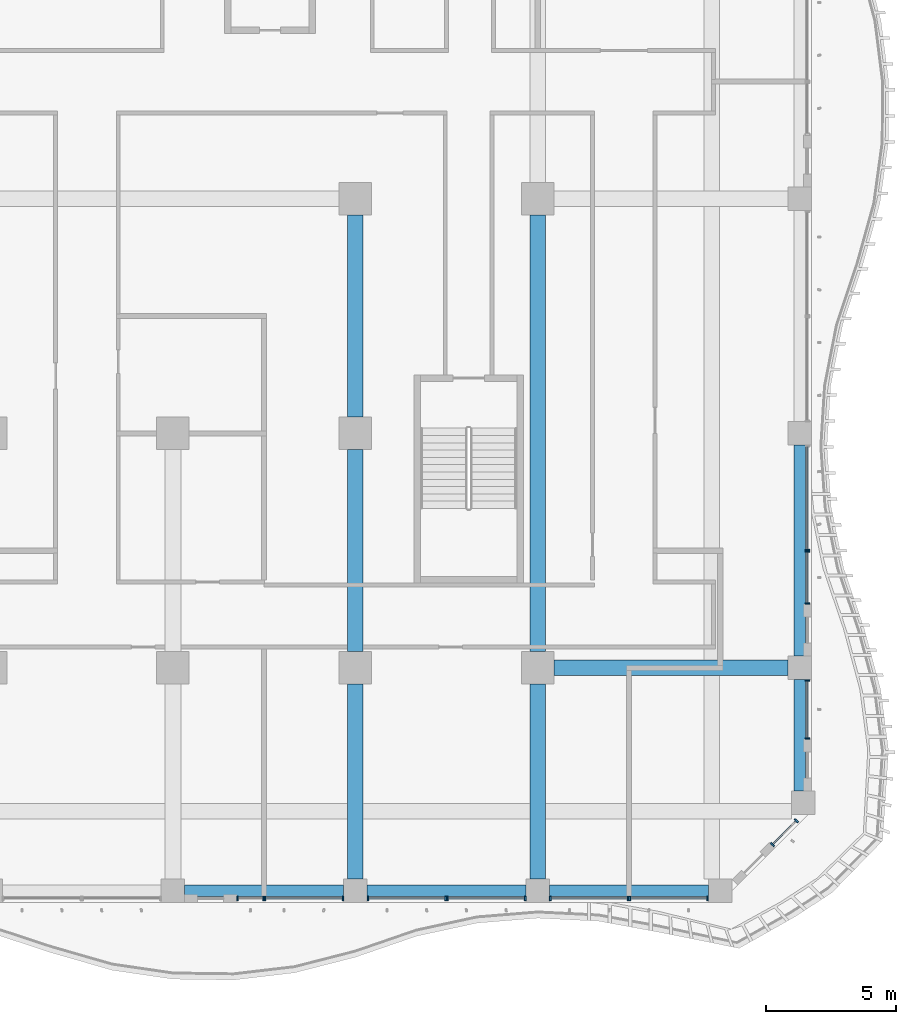
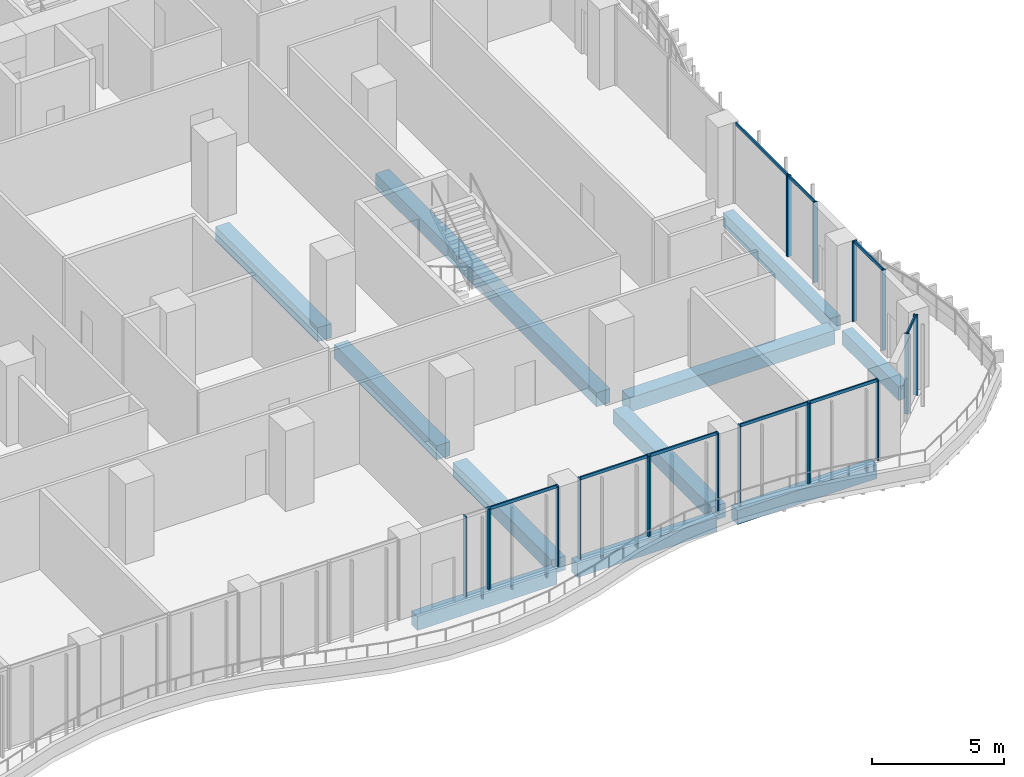
# One storey, part 6 of 29: 28 members, 11 beams, 10 elements without a shape of their own.
"""IFC4 building model written with IfcOpenShell, lengths in metres."""

from ifc_helpers import new_model, si_unit, direction, frame, origin, origin_2d, place, context, subcontext, project, spatial, rectangle, extrude, source, transform, mapped, material, material_profile, profile_set, type_object, element, aggregate, save


model = new_model("IFC4")

# Units and contexts
model_context = context("Model", 3, precision=1e-05, world=origin(), true_north=direction((0.0, 1.0)))
body_context = subcontext(model_context, "Body", "Model", "MODEL_VIEW")
ifc_project = project(units=[si_unit("LENGTHUNIT", "METRE"), si_unit("AREAUNIT", "SQUARE_METRE"), si_unit("VOLUMEUNIT", "CUBIC_METRE"), si_unit("PLANEANGLEUNIT", "RADIAN"), si_unit("MASSUNIT", "GRAM", prefix="KILO")], contexts=[model_context])

# Site, building, storey
site_placement = place(None, origin())
site = spatial("IfcSite", under=ifc_project, at=site_placement, CompositionType="ELEMENT")
building_placement = place(site_placement, origin())
building = spatial("IfcBuilding", under=site, at=building_placement, Name="Kilnfold Tower and Market Hall", CompositionType="ELEMENT")
storey_placement = place(building_placement, frame((0.0, 0.0, 79.199951171875)))
storey = spatial("IfcBuildingStorey", under=building, at=storey_placement, Name="L18", CompositionType="ELEMENT", Elevation=79.199951171875)

# Beams
ifc_material_1 = material(Name="Concrete C45", Category="concrete")
ifc_material_profile_1 = material_profile(ifc_material_1, rectangle(XDim=0.449951171875, YDim=0.64990234375, at=origin_2d()), Name="RC 450x650")
ifc_profile_set_1 = profile_set([ifc_material_profile_1], Name="Concrete C45")
beam_type_1 = type_object("IfcBeamType", Name="EDGE BEAM 450X650 C45", PredefinedType="BEAM", material=ifc_profile_set_1)
shared_shape_1 = source(origin(), body_context, "Body", "SweptSolid", [
    extrude(rectangle(XDim=0.449951171875, YDim=0.64990234375, at=origin_2d()), origin(), (0.0, 0.0, 1.0), 6.10009765625),
])
for number, where, z_axis, x_axis, name in (
    (1, (8.949951171875, -27.550048828125, -0.60498046875), (1.0, 0.0, 0.0), (0.0, 1.0, 0.0), "Beam EB650-B2.64"),
    (2, (15.949951171875, -27.550048828125, -0.60498046875), (1.0, 0.0, 0.0), (0.0, 1.0, 0.0), "Beam EB650-B2.65"),
    (3, (22.949951171875, -27.550048828125, -0.60498046875), (1.0, 0.0, 0.0), (0.0, 1.0, 0.0), "Beam EB650-B2.66"),
):
    element("IfcBeam", number, at=place(storey_placement, frame(where, z_axis=z_axis, x_axis=x_axis)), inside=storey, type_object=beam_type_1, Name=name, PredefinedType="BEAM", context=body_context, shape_type="MappedRepresentation", body=[
        mapped(shared_shape_1, transform((0.0, 0.0, 0.0))),
    ])
shared_shape_2 = source(origin(), body_context, "Body", "SweptSolid", [
    extrude(rectangle(XDim=0.449951171875, YDim=0.64990234375, at=origin_2d()), origin(), (0.0, 0.0, 1.0), 8.10009765625),
])
beam_1_placement = place(storey_placement, frame((32.550048828125, -18.550048828125, -0.60498046875), z_axis=(0.0, 1.0, 0.0), x_axis=(-1.0, 0.0, 0.0)))
element("IfcBeam", 4, at=beam_1_placement, inside=storey, type_object=beam_type_1, Name="Beam EB650-B2.100", PredefinedType="BEAM", context=body_context, shape_type="MappedRepresentation", body=[
    mapped(shared_shape_2, transform((0.0, 0.0, 0.0))),
])
shared_shape_3 = source(origin(), body_context, "Body", "SweptSolid", [
    extrude(rectangle(XDim=0.449951171875, YDim=0.64990234375, at=origin_2d()), origin(), (0.0, 0.0, 1.0), 4.28173828125),
])
beam_2_placement = place(storey_placement, frame((32.550048828125, -23.731689453125, -0.60498046875), z_axis=(0.0, 1.0, 0.0), x_axis=(-1.0, 0.0, 0.0)))
element("IfcBeam", 5, at=beam_2_placement, inside=storey, type_object=beam_type_1, Name="Beam EB650-B2.99", PredefinedType="BEAM", context=body_context, shape_type="MappedRepresentation", body=[
    mapped(shared_shape_3, transform((0.0, 0.0, 0.0))),
])
ifc_material_2 = material(Name="Concrete C45", Category="concrete")
ifc_material_profile_2 = material_profile(ifc_material_2, rectangle(XDim=0.60009765625, YDim=0.64990234375, at=origin_2d()), Name="RC 600x650")
ifc_profile_set_2 = profile_set([ifc_material_profile_2], Name="Concrete C45")
beam_type_2 = type_object("IfcBeamType", Name="BEAM 600X650 C45", PredefinedType="BEAM", material=ifc_profile_set_2)
shared_shape_4 = source(origin(), body_context, "Body", "SweptSolid", [
    extrude(rectangle(XDim=0.60009765625, YDim=0.64990234375, at=origin_2d()), origin(), (0.0, 0.0, 1.0), 8.97509765625),
])
beam_3_placement = place(storey_placement, frame((23.125, -19.0, -0.60498046875), z_axis=(1.0, 0.0, 0.0), x_axis=(0.0, 1.0, 0.0)))
element("IfcBeam", 6, at=beam_3_placement, inside=storey, type_object=beam_type_2, Name="Beam BB650-B2.69", PredefinedType="BEAM", context=body_context, shape_type="MappedRepresentation", body=[
    mapped(shared_shape_4, transform((0.0, 0.0, 0.0))),
])
shared_shape_5 = source(origin(), body_context, "Body", "SweptSolid", [
    extrude(rectangle(XDim=0.60009765625, YDim=0.64990234375, at=origin_2d()), origin(), (0.0, 0.0, 1.0), 7.47509765625),
])
for number, where, z_axis, x_axis, name in (
    (7, (15.5, -27.10009765625, -0.60498046875), (0.0, 1.0, 0.0), (-1.0, 0.0, 0.0), "Beam BB650-B2.91"),
    (8, (22.5, -27.10009765625, -0.60498046875), (0.0, 1.0, 0.0), (-1.0, 0.0, 0.0), "Beam BB650-B2.94"),
):
    element("IfcBeam", number, at=place(storey_placement, frame(where, z_axis=z_axis, x_axis=x_axis)), inside=storey, type_object=beam_type_2, Name=name, PredefinedType="BEAM", context=body_context, shape_type="MappedRepresentation", body=[
        mapped(shared_shape_5, transform((0.0, 0.0, 0.0))),
    ])
shared_shape_6 = source(origin(), body_context, "Body", "SweptSolid", [
    extrude(rectangle(XDim=0.60009765625, YDim=0.64990234375, at=origin_2d()), origin(), (0.0, 0.0, 1.0), 7.75),
])
for number, where, z_axis, x_axis, name in (
    (9, (15.5, -18.375, -0.60498046875), (0.0, 1.0, 0.0), (-1.0, 0.0, 0.0), "Beam BB650-B2.92"),
    (10, (15.5, -9.375, -0.60498046875), (0.0, 1.0, 0.0), (-1.0, 0.0, 0.0), "Beam BB650-B2.93"),
):
    element("IfcBeam", number, at=place(storey_placement, frame(where, z_axis=z_axis, x_axis=x_axis)), inside=storey, type_object=beam_type_2, Name=name, PredefinedType="BEAM", context=body_context, shape_type="MappedRepresentation", body=[
        mapped(shared_shape_6, transform((0.0, 0.0, 0.0))),
    ])
shared_shape_7 = source(origin(), body_context, "Body", "SweptSolid", [
    extrude(rectangle(XDim=0.60009765625, YDim=0.64990234375, at=origin_2d()), origin(), (0.0, 0.0, 1.0), 16.75),
])
beam_4_placement = place(storey_placement, frame((22.5, -18.375, -0.60498046875), z_axis=(0.0, 1.0, 0.0), x_axis=(-1.0, 0.0, 0.0)))
element("IfcBeam", 11, at=beam_4_placement, inside=storey, type_object=beam_type_2, Name="Beam BB650-B2.95", PredefinedType="BEAM", context=body_context, shape_type="MappedRepresentation", body=[
    mapped(shared_shape_7, transform((0.0, 0.0, 0.0))),
])

# Curtain wall, members
ifc_material_3 = material(Name="Aluminium and double glazing", Category="aluminium")
curtain_wall_type = type_object("IfcCurtainWallType", Name="CW OF1 VALLEY GLAZING", PredefinedType="NOTDEFINED", material=ifc_material_3)
curtain_wall_1_placement = place(storey_placement, origin())
curtain_wall_1 = element("IfcCurtainWall", 12, at=curtain_wall_1_placement, inside=storey, type_object=curtain_wall_type, Name="Curtain wall CW1 L18 S", PredefinedType="NOTDEFINED")
ifc_material_4 = material(Name="Aluminium", Category="aluminium")
ifc_material_profile_3 = material_profile(ifc_material_4, rectangle(XDim=0.06005859375, YDim=0.179931640625, at=origin_2d()), Name="MULLION 60x180")
ifc_profile_set_3 = profile_set([ifc_material_profile_3], Name="Aluminium")
member_type_1 = type_object("IfcMemberType", Name="MULLION 60X180", PredefinedType="MULLION", material=ifc_profile_set_3)
shared_shape_8 = source(origin(), body_context, "Body", "SweptSolid", [
    extrude(rectangle(XDim=0.06005859375, YDim=0.179931640625, at=origin_2d()), origin(), (0.0, 0.0, 1.0), 3.719970703125),
])
member_1_placement = place(storey_placement, frame((10.97998046875, -27.85009765625, 0.0), z_axis=(0.0, 0.0, 1.0), x_axis=(1.0, 0.0, 0.0)))
member_1 = element("IfcMember", 13, at=member_1_placement, type_object=member_type_1, Name="CW1 mullion 1", PredefinedType="MULLION", context=body_context, shape_type="MappedRepresentation", body=[
    mapped(shared_shape_8, transform((0.0, 0.0, 0.0))),
])
member_2_placement = place(storey_placement, frame((11.969970703125, -27.85009765625, 0.0), z_axis=(0.0, 0.0, 1.0), x_axis=(1.0, 0.0, 0.0)))
member_2 = element("IfcMember", 14, at=member_2_placement, type_object=member_type_1, Name="CW1 mullion 2", PredefinedType="MULLION", context=body_context, shape_type="MappedRepresentation", body=[
    mapped(shared_shape_8, transform((0.0, 0.0, 0.0))),
])
aggregate(curtain_wall_1, [member_1, member_2])

curtain_wall_2_placement = place(storey_placement, origin())
curtain_wall_2 = element("IfcCurtainWall", 15, at=curtain_wall_2_placement, inside=storey, type_object=curtain_wall_type, Name="Curtain wall CW1 L18 S", PredefinedType="NOTDEFINED")
member_3_placement = place(storey_placement, frame((12.030029296875, -27.85009765625, 0.0), z_axis=(0.0, 0.0, 1.0), x_axis=(1.0, 0.0, 0.0)))
member_3 = element("IfcMember", 16, at=member_3_placement, type_object=member_type_1, Name="CW1 mullion 1", PredefinedType="MULLION", context=body_context, shape_type="MappedRepresentation", body=[
    mapped(shared_shape_8, transform((0.0, 0.0, 0.0))),
])
member_4_placement = place(storey_placement, frame((15.02001953125, -27.85009765625, 0.0), z_axis=(0.0, 0.0, 1.0), x_axis=(1.0, 0.0, 0.0)))
member_4 = element("IfcMember", 17, at=member_4_placement, type_object=member_type_1, Name="CW1 mullion 2", PredefinedType="MULLION", context=body_context, shape_type="MappedRepresentation", body=[
    mapped(shared_shape_8, transform((0.0, 0.0, 0.0))),
])

curtain_wall_3_placement = place(storey_placement, origin())
curtain_wall_3 = element("IfcCurtainWall", 18, at=curtain_wall_3_placement, inside=storey, type_object=curtain_wall_type, Name="Curtain wall CW1 L18 S", PredefinedType="NOTDEFINED")
member_5_placement = place(storey_placement, frame((15.97998046875, -27.85009765625, 0.0), z_axis=(0.0, 0.0, 1.0), x_axis=(1.0, 0.0, 0.0)))
member_5 = element("IfcMember", 19, at=member_5_placement, type_object=member_type_1, Name="CW1 mullion 1", PredefinedType="MULLION", context=body_context, shape_type="MappedRepresentation", body=[
    mapped(shared_shape_8, transform((0.0, 0.0, 0.0))),
])
member_6_placement = place(storey_placement, frame((18.969970703125, -27.85009765625, 0.0), z_axis=(0.0, 0.0, 1.0), x_axis=(1.0, 0.0, 0.0)))
member_6 = element("IfcMember", 20, at=member_6_placement, type_object=member_type_1, Name="CW1 mullion 2", PredefinedType="MULLION", context=body_context, shape_type="MappedRepresentation", body=[
    mapped(shared_shape_8, transform((0.0, 0.0, 0.0))),
])

curtain_wall_4_placement = place(storey_placement, origin())
curtain_wall_4 = element("IfcCurtainWall", 21, at=curtain_wall_4_placement, inside=storey, type_object=curtain_wall_type, Name="Curtain wall CW1 L18 S", PredefinedType="NOTDEFINED")
member_7_placement = place(storey_placement, frame((19.030029296875, -27.85009765625, 0.0), z_axis=(0.0, 0.0, 1.0), x_axis=(1.0, 0.0, 0.0)))
member_7 = element("IfcMember", 22, at=member_7_placement, type_object=member_type_1, Name="CW1 mullion 1", PredefinedType="MULLION", context=body_context, shape_type="MappedRepresentation", body=[
    mapped(shared_shape_8, transform((0.0, 0.0, 0.0))),
])
member_8_placement = place(storey_placement, frame((22.02001953125, -27.85009765625, 0.0), z_axis=(0.0, 0.0, 1.0), x_axis=(1.0, 0.0, 0.0)))
member_8 = element("IfcMember", 23, at=member_8_placement, type_object=member_type_1, Name="CW1 mullion 2", PredefinedType="MULLION", context=body_context, shape_type="MappedRepresentation", body=[
    mapped(shared_shape_8, transform((0.0, 0.0, 0.0))),
])

curtain_wall_5_placement = place(storey_placement, origin())
curtain_wall_5 = element("IfcCurtainWall", 24, at=curtain_wall_5_placement, inside=storey, type_object=curtain_wall_type, Name="Curtain wall CW1 L18 S", PredefinedType="NOTDEFINED")
member_9_placement = place(storey_placement, frame((22.97998046875, -27.85009765625, 0.0), z_axis=(0.0, 0.0, 1.0), x_axis=(1.0, 0.0, 0.0)))
member_9 = element("IfcMember", 25, at=member_9_placement, type_object=member_type_1, Name="CW1 mullion 1", PredefinedType="MULLION", context=body_context, shape_type="MappedRepresentation", body=[
    mapped(shared_shape_8, transform((0.0, 0.0, 0.0))),
])
member_10_placement = place(storey_placement, frame((25.969970703125, -27.85009765625, 0.0), z_axis=(0.0, 0.0, 1.0), x_axis=(1.0, 0.0, 0.0)))
member_10 = element("IfcMember", 26, at=member_10_placement, type_object=member_type_1, Name="CW1 mullion 2", PredefinedType="MULLION", context=body_context, shape_type="MappedRepresentation", body=[
    mapped(shared_shape_8, transform((0.0, 0.0, 0.0))),
])

curtain_wall_6_placement = place(storey_placement, origin())
curtain_wall_6 = element("IfcCurtainWall", 27, at=curtain_wall_6_placement, inside=storey, type_object=curtain_wall_type, Name="Curtain wall CW1 L18 S", PredefinedType="NOTDEFINED")
member_11_placement = place(storey_placement, frame((26.030029296875, -27.85009765625, 0.0), z_axis=(0.0, 0.0, 1.0), x_axis=(1.0, 0.0, 0.0)))
member_11 = element("IfcMember", 28, at=member_11_placement, type_object=member_type_1, Name="CW1 mullion 1", PredefinedType="MULLION", context=body_context, shape_type="MappedRepresentation", body=[
    mapped(shared_shape_8, transform((0.0, 0.0, 0.0))),
])
member_12_placement = place(storey_placement, frame((29.02001953125, -27.85009765625, 0.0), z_axis=(0.0, 0.0, 1.0), x_axis=(1.0, 0.0, 0.0)))
member_12 = element("IfcMember", 29, at=member_12_placement, type_object=member_type_1, Name="CW1 mullion 2", PredefinedType="MULLION", context=body_context, shape_type="MappedRepresentation", body=[
    mapped(shared_shape_8, transform((0.0, 0.0, 0.0))),
])

curtain_wall_7_placement = place(storey_placement, origin())
curtain_wall_7 = element("IfcCurtainWall", 30, at=curtain_wall_7_placement, inside=storey, type_object=curtain_wall_type, Name="Curtain wall CW1 L18 SE", PredefinedType="NOTDEFINED")
member_13_placement = place(storey_placement, frame((31.50439453125, -25.783447265625, 0.0), z_axis=(0.0, 0.0, 1.0), x_axis=(0.707106781187, 0.707106781187, 0.0)))
member_13 = element("IfcMember", 31, at=member_13_placement, type_object=member_type_1, Name="CW1 mullion 1", PredefinedType="MULLION", context=body_context, shape_type="MappedRepresentation", body=[
    mapped(shared_shape_8, transform((0.0, 0.0, 0.0))),
])
member_14_placement = place(storey_placement, frame((32.4228515625, -24.865234375, 0.0), z_axis=(0.0, 0.0, 1.0), x_axis=(0.707106781187, 0.707106781187, 0.0)))
member_14 = element("IfcMember", 32, at=member_14_placement, type_object=member_type_1, Name="CW1 mullion 2", PredefinedType="MULLION", context=body_context, shape_type="MappedRepresentation", body=[
    mapped(shared_shape_8, transform((0.0, 0.0, 0.0))),
])

curtain_wall_8_placement = place(storey_placement, origin())
curtain_wall_8 = element("IfcCurtainWall", 33, at=curtain_wall_8_placement, inside=storey, type_object=curtain_wall_type, Name="Curtain wall CW1 L18 E", PredefinedType="NOTDEFINED")
member_15_placement = place(storey_placement, frame((32.85009765625, -21.701904296875, 0.0), z_axis=(0.0, 0.0, 1.0), x_axis=(0.0, 1.0, 0.0)))
member_15 = element("IfcMember", 34, at=member_15_placement, type_object=member_type_1, Name="CW1 mullion 1", PredefinedType="MULLION", context=body_context, shape_type="MappedRepresentation", body=[
    mapped(shared_shape_8, transform((0.0, 0.0, 0.0))),
])
member_16_placement = place(storey_placement, frame((32.85009765625, -19.47998046875, 0.0), z_axis=(0.0, 0.0, 1.0), x_axis=(0.0, 1.0, 0.0)))
member_16 = element("IfcMember", 35, at=member_16_placement, type_object=member_type_1, Name="CW1 mullion 2", PredefinedType="MULLION", context=body_context, shape_type="MappedRepresentation", body=[
    mapped(shared_shape_8, transform((0.0, 0.0, 0.0))),
])

curtain_wall_9_placement = place(storey_placement, origin())
curtain_wall_9 = element("IfcCurtainWall", 36, at=curtain_wall_9_placement, inside=storey, type_object=curtain_wall_type, Name="Curtain wall CW1 L18 E", PredefinedType="NOTDEFINED")
member_17_placement = place(storey_placement, frame((32.85009765625, -16.52001953125, 0.0), z_axis=(0.0, 0.0, 1.0), x_axis=(0.0, 1.0, 0.0)))
member_17 = element("IfcMember", 37, at=member_17_placement, type_object=member_type_1, Name="CW1 mullion 1", PredefinedType="MULLION", context=body_context, shape_type="MappedRepresentation", body=[
    mapped(shared_shape_8, transform((0.0, 0.0, 0.0))),
])
member_18_placement = place(storey_placement, frame((32.85009765625, -14.530029296875, 0.0), z_axis=(0.0, 0.0, 1.0), x_axis=(0.0, 1.0, 0.0)))
member_18 = element("IfcMember", 38, at=member_18_placement, type_object=member_type_1, Name="CW1 mullion 2", PredefinedType="MULLION", context=body_context, shape_type="MappedRepresentation", body=[
    mapped(shared_shape_8, transform((0.0, 0.0, 0.0))),
])

# Curtain wall, member
curtain_wall_10_placement = place(storey_placement, origin())
curtain_wall_10 = element("IfcCurtainWall", 39, at=curtain_wall_10_placement, inside=storey, type_object=curtain_wall_type, Name="Curtain wall CW1 L18 E", PredefinedType="NOTDEFINED")
member_19_placement = place(storey_placement, frame((32.85009765625, -14.469970703125, 0.0), z_axis=(0.0, 0.0, 1.0), x_axis=(0.0, 1.0, 0.0)))
member_19 = element("IfcMember", 40, at=member_19_placement, type_object=member_type_1, Name="CW1 mullion 1", PredefinedType="MULLION", context=body_context, shape_type="MappedRepresentation", body=[
    mapped(shared_shape_8, transform((0.0, 0.0, 0.0))),
])

# Member
ifc_material_5 = material(Name="Aluminium", Category="aluminium")
ifc_material_profile_4 = material_profile(ifc_material_5, rectangle(XDim=0.06005859375, YDim=0.139892578125, at=origin_2d()), Name="TRANSOM 60x140")
ifc_profile_set_4 = profile_set([ifc_material_profile_4], Name="Aluminium")
member_type_2 = type_object("IfcMemberType", Name="TRANSOM 60X140", PredefinedType="USERDEFINED", material=ifc_profile_set_4)
shared_shape_9 = source(origin(), body_context, "Body", "SweptSolid", [
    extrude(rectangle(XDim=0.06005859375, YDim=0.139892578125, at=origin_2d()), origin(), (0.0, 0.0, 1.0), 2.929931640625),
])
member_20_placement = place(storey_placement, frame((12.06005859375, -27.85009765625, 3.68994140625), z_axis=(1.0, 0.0, 0.0), x_axis=(0.0, 1.0, 0.0)))
member_20 = element("IfcMember", 41, at=member_20_placement, type_object=member_type_2, Name="CW1 transom 1.2", ObjectType="TRANSOM", PredefinedType="USERDEFINED", context=body_context, shape_type="MappedRepresentation", body=[
    mapped(shared_shape_9, transform((0.0, 0.0, 0.0))),
])

aggregate(curtain_wall_2, [member_3, member_4, member_20])

member_21_placement = place(storey_placement, frame((16.010009765625, -27.85009765625, 3.68994140625), z_axis=(1.0, 0.0, 0.0), x_axis=(0.0, 1.0, 0.0)))
member_21 = element("IfcMember", 42, at=member_21_placement, type_object=member_type_2, Name="CW1 transom 1.2", ObjectType="TRANSOM", PredefinedType="USERDEFINED", context=body_context, shape_type="MappedRepresentation", body=[
    mapped(shared_shape_9, transform((0.0, 0.0, 0.0))),
])

aggregate(curtain_wall_3, [member_5, member_6, member_21])

member_22_placement = place(storey_placement, frame((19.06005859375, -27.85009765625, 3.68994140625), z_axis=(1.0, 0.0, 0.0), x_axis=(0.0, 1.0, 0.0)))
member_22 = element("IfcMember", 43, at=member_22_placement, type_object=member_type_2, Name="CW1 transom 1.2", ObjectType="TRANSOM", PredefinedType="USERDEFINED", context=body_context, shape_type="MappedRepresentation", body=[
    mapped(shared_shape_9, transform((0.0, 0.0, 0.0))),
])

aggregate(curtain_wall_4, [member_7, member_8, member_22])

member_23_placement = place(storey_placement, frame((23.010009765625, -27.85009765625, 3.68994140625), z_axis=(1.0, 0.0, 0.0), x_axis=(0.0, 1.0, 0.0)))
member_23 = element("IfcMember", 44, at=member_23_placement, type_object=member_type_2, Name="CW1 transom 1.2", ObjectType="TRANSOM", PredefinedType="USERDEFINED", context=body_context, shape_type="MappedRepresentation", body=[
    mapped(shared_shape_9, transform((0.0, 0.0, 0.0))),
])

aggregate(curtain_wall_5, [member_9, member_10, member_23])

member_24_placement = place(storey_placement, frame((26.06005859375, -27.85009765625, 3.68994140625), z_axis=(1.0, 0.0, 0.0), x_axis=(0.0, 1.0, 0.0)))
member_24 = element("IfcMember", 45, at=member_24_placement, type_object=member_type_2, Name="CW1 transom 1.2", ObjectType="TRANSOM", PredefinedType="USERDEFINED", context=body_context, shape_type="MappedRepresentation", body=[
    mapped(shared_shape_9, transform((0.0, 0.0, 0.0))),
])

aggregate(curtain_wall_6, [member_11, member_12, member_24])

shared_shape_10 = source(origin(), body_context, "Body", "SweptSolid", [
    extrude(rectangle(XDim=0.06005859375, YDim=0.139892578125, at=origin_2d()), origin(), (0.0, 0.0, 1.0), 1.23876953125),
])
member_25_placement = place(storey_placement, frame((31.525634765625, -25.76220703125, 3.68994140625), z_axis=(0.707106781187, 0.707106781187, 0.0), x_axis=(-0.707106781187, 0.707106781187, 0.0)))
member_25 = element("IfcMember", 46, at=member_25_placement, type_object=member_type_2, Name="CW1 transom 1.2", ObjectType="TRANSOM", PredefinedType="USERDEFINED", context=body_context, shape_type="MappedRepresentation", body=[
    mapped(shared_shape_10, transform((0.0, 0.0, 0.0))),
])

aggregate(curtain_wall_7, [member_13, member_14, member_25])

shared_shape_11 = source(origin(), body_context, "Body", "SweptSolid", [
    extrude(rectangle(XDim=0.06005859375, YDim=0.139892578125, at=origin_2d()), origin(), (0.0, 0.0, 1.0), 2.161865234375),
])
member_26_placement = place(storey_placement, frame((32.85009765625, -21.671875, 3.68994140625), z_axis=(0.0, 1.0, 0.0), x_axis=(-1.0, 0.0, 0.0)))
member_26 = element("IfcMember", 47, at=member_26_placement, type_object=member_type_2, Name="CW1 transom 1.2", ObjectType="TRANSOM", PredefinedType="USERDEFINED", context=body_context, shape_type="MappedRepresentation", body=[
    mapped(shared_shape_11, transform((0.0, 0.0, 0.0))),
])

aggregate(curtain_wall_8, [member_15, member_16, member_26])

shared_shape_12 = source(origin(), body_context, "Body", "SweptSolid", [
    extrude(rectangle(XDim=0.06005859375, YDim=0.139892578125, at=origin_2d()), origin(), (0.0, 0.0, 1.0), 3.929931640625),
])
member_27_placement = place(storey_placement, frame((32.85009765625, -14.43994140625, 3.68994140625), z_axis=(0.0, 1.0, 0.0), x_axis=(-1.0, 0.0, 0.0)))
member_27 = element("IfcMember", 48, at=member_27_placement, type_object=member_type_2, Name="CW1 transom 1.2", ObjectType="TRANSOM", PredefinedType="USERDEFINED", context=body_context, shape_type="MappedRepresentation", body=[
    mapped(shared_shape_12, transform((0.0, 0.0, 0.0))),
])

aggregate(curtain_wall_10, [member_19, member_27])

shared_shape_13 = source(origin(), body_context, "Body", "SweptSolid", [
    extrude(rectangle(XDim=0.06005859375, YDim=0.139892578125, at=origin_2d()), origin(), (0.0, 0.0, 1.0), 1.929931640625),
])
member_28_placement = place(storey_placement, frame((32.85009765625, -16.489990234375, 3.68994140625), z_axis=(0.0, 1.0, 0.0), x_axis=(-1.0, 0.0, 0.0)))
member_28 = element("IfcMember", 49, at=member_28_placement, type_object=member_type_2, Name="CW1 transom 1.2", ObjectType="TRANSOM", PredefinedType="USERDEFINED", context=body_context, shape_type="MappedRepresentation", body=[
    mapped(shared_shape_13, transform((0.0, 0.0, 0.0))),
])

aggregate(curtain_wall_9, [member_17, member_18, member_28])

save(model, "model.ifc")
